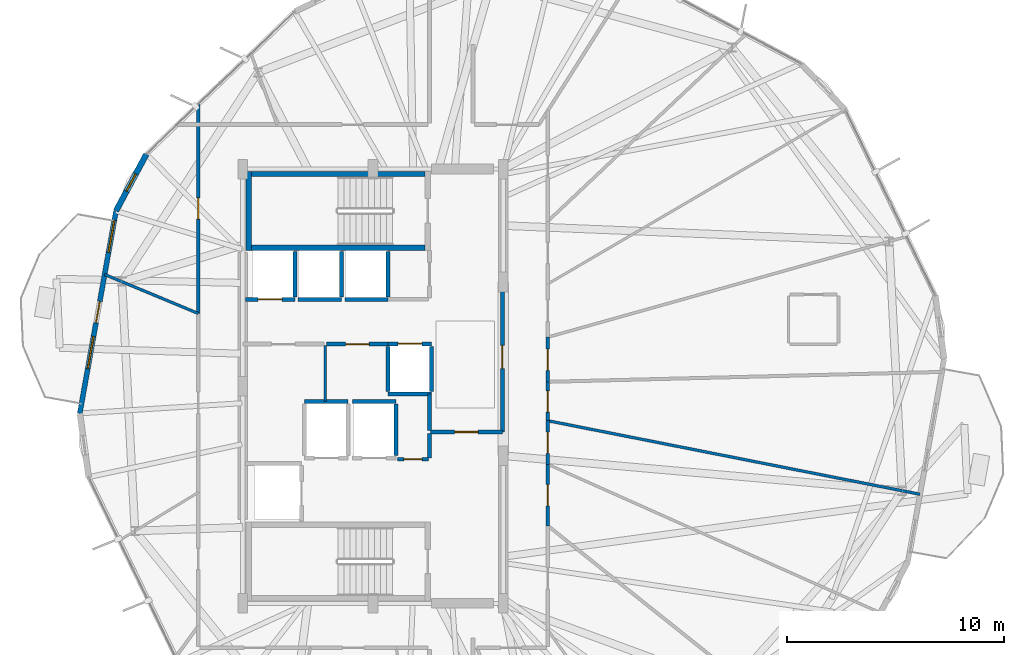
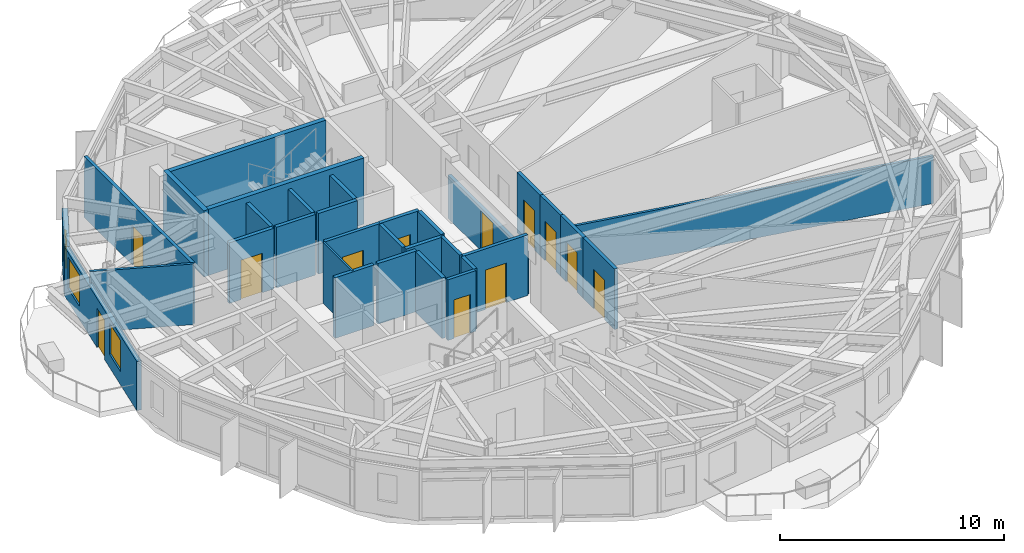
# One storey, part 21 of 26: 32 walls, 12 doors, 3 windows, 15 openings.
"""IFC4 building model written with IfcOpenShell, lengths in metres."""

from ifc_helpers import new_model, si_unit, direction, frame, frame_2d, origin, place, context, subcontext, project, spatial, rectangle, extrude, material, layer, layer_set, type_object, element, fill, save


model = new_model("IFC4")

# Units and contexts
model_context = context("Model", 3, precision=1e-05, world=origin(), true_north=direction((0.0, 1.0)))
body_context = subcontext(model_context, "Body", "Model", "MODEL_VIEW")
ifc_project = project(units=[si_unit("LENGTHUNIT", "METRE"), si_unit("AREAUNIT", "SQUARE_METRE"), si_unit("VOLUMEUNIT", "CUBIC_METRE"), si_unit("PLANEANGLEUNIT", "RADIAN"), si_unit("MASSUNIT", "GRAM", prefix="KILO")], contexts=[model_context])

# Site, building, storey
site_placement = place(None, origin())
site = spatial("IfcSite", under=ifc_project, at=site_placement, CompositionType="ELEMENT")
building_placement = place(site_placement, origin())
building = spatial("IfcBuilding", under=site, at=building_placement, Name="Soratama Intermodal Tower", CompositionType="ELEMENT")
storey_placement = place(building_placement, frame((0.0, 0.0, 194.199951171875)))
storey = spatial("IfcBuildingStorey", under=building, at=storey_placement, Name="L48", CompositionType="ELEMENT", Elevation=194.199951171875)

# Wall, openings, door, windows
ifc_material_1 = material(Name="Concrete f'c 42 MPa", Category="concrete")
ifc_layer_1 = layer(ifc_material_1, 0.22998046875)
ifc_layer_set_1 = layer_set([ifc_layer_1], Name="Concrete f'c 42 MPa")
wall_type_1 = type_object("IfcWallType", Name="EW-BAL-230", PredefinedType="SOLIDWALL", material=ifc_layer_set_1)
wall_1_placement = place(storey_placement, frame((26.76171875, 33.072509765625, 0.0), z_axis=(0.0, 0.0, 1.0), x_axis=(-0.176062749049, -0.984378945527, 0.0)))
wall_1 = element("IfcWall", 1, at=wall_1_placement, inside=storey, type_object=wall_type_1, Name="L48 Terrace Wall F04", PredefinedType="SOLIDWALL", context=body_context, shape_type="SweptSolid", body=[
    extrude(rectangle(XDim=9.470947265625, YDim=0.22998046875, at=frame_2d((4.7353515625, 0.0))), origin(), (0.0, 0.0, 1.0), 2.678955078125),
])
opening_1_placement = place(wall_1_placement, frame((4.235595703125, 0.0, 0.0)))
opening_1 = element("IfcOpeningElement", 2, at=opening_1_placement, cuts=wall_1, Name="Opening ED-2", PredefinedType="OPENING", context=body_context, shape_type="SweptSolid", body=[
    extrude(rectangle(XDim=1.0, YDim=2.14990234375, at=frame_2d((0.5, 1.074951171875))), frame((0.0, 0.125, 0.0), z_axis=(0.0, -1.0, 0.0), x_axis=(1.0, 0.0, 0.0)), (0.0, 0.0, 1.0), 0.25),
])
opening_2_placement = place(wall_1_placement, frame((0.43994140625, 0.0, 0.719970703125)))
opening_2 = element("IfcOpeningElement", 3, at=opening_2_placement, cuts=wall_1, Name="Opening WN-1", PredefinedType="OPENING", context=body_context, shape_type="SweptSolid", body=[
    extrude(rectangle(XDim=1.5, YDim=1.699951171875, at=frame_2d((0.75, 0.85009765625))), frame((0.0, 0.125, 0.0), z_axis=(0.0, -1.0, 0.0), x_axis=(1.0, 0.0, 0.0)), (0.0, 0.0, 1.0), 0.25),
])
opening_3_placement = place(wall_1_placement, frame((5.87548828125, 0.0, 0.719970703125)))
opening_3 = element("IfcOpeningElement", 4, at=opening_3_placement, cuts=wall_1, Name="Opening WN-1", PredefinedType="OPENING", context=body_context, shape_type="SweptSolid", body=[
    extrude(rectangle(XDim=1.5, YDim=1.699951171875, at=frame_2d((0.75, 0.85009765625))), frame((0.0, 0.125, 0.0), z_axis=(0.0, -1.0, 0.0), x_axis=(1.0, 0.0, 0.0)), (0.0, 0.0, 1.0), 0.25),
])
ifc_material_2 = material(Name="Double-glazed aluminium door", Category="aluminium")
door_type_1 = type_object("IfcDoorType", Name="DR-BAL-1000", OperationType="NOTDEFINED", PredefinedType="DOOR", material=ifc_material_2)
door_1_placement = place(opening_1_placement, origin())
door_1 = element("IfcDoor", 5, at=door_1_placement, inside=storey, type_object=door_type_1, Name="L48 Balcony Door F04", OperationType="SINGLE_SWING_RIGHT", OverallHeight=2.14990234375, OverallWidth=1.0, PredefinedType="DOOR", context=body_context, shape_type="SweptSolid", body=[
    extrude(rectangle(XDim=1.0, YDim=2.14990234375, at=frame_2d((0.5, 1.074951171875))), frame((0.0, 0.02490234375, 0.0), z_axis=(0.0, -1.0, 0.0), x_axis=(1.0, 0.0, 0.0)), (0.0, 0.0, 1.0), 0.050048828125),
])
fill(opening_1, door_1)
ifc_material_3 = material(Name="Double-glazed aluminium window", Category="aluminium")
window_type_1 = type_object("IfcWindowType", Name="WN-FAC-1500", PartitioningType="SINGLE_PANEL", PredefinedType="WINDOW", material=ifc_material_3)
window_1_placement = place(opening_2_placement, origin())
window_1 = element("IfcWindow", 6, at=window_1_placement, inside=storey, type_object=window_type_1, Name="L48 Window A F04", OverallHeight=1.699951171875, OverallWidth=1.5, PartitioningType="SINGLE_PANEL", PredefinedType="WINDOW", context=body_context, shape_type="SweptSolid", body=[
    extrude(rectangle(XDim=1.5, YDim=1.699951171875, at=frame_2d((0.75, 0.85009765625))), frame((0.0, 0.030029296875, 0.0), z_axis=(0.0, -1.0, 0.0), x_axis=(1.0, 0.0, 0.0)), (0.0, 0.0, 1.0), 0.06005859375),
])
fill(opening_2, window_1)
window_2_placement = place(opening_3_placement, origin())
window_2 = element("IfcWindow", 7, at=window_2_placement, inside=storey, type_object=window_type_1, Name="L48 Window B F04", OverallHeight=1.699951171875, OverallWidth=1.5, PartitioningType="SINGLE_PANEL", PredefinedType="WINDOW", context=body_context, shape_type="SweptSolid", body=[
    extrude(rectangle(XDim=1.5, YDim=1.699951171875, at=frame_2d((0.75, 0.85009765625))), frame((0.0, 0.030029296875, 0.0), z_axis=(0.0, -1.0, 0.0), x_axis=(1.0, 0.0, 0.0)), (0.0, 0.0, 1.0), 0.06005859375),
])
fill(opening_3, window_2)

# Wall, opening, window
ifc_material_4 = material(Name="Concrete f'c 42 MPa", Category="concrete")
ifc_layer_2 = layer(ifc_material_4, 0.27001953125)
ifc_layer_set_2 = layer_set([ifc_layer_2], Name="Concrete f'c 42 MPa")
wall_type_2 = type_object("IfcWallType", Name="EW-CRN-270", PredefinedType="SOLIDWALL", material=ifc_layer_set_2)
wall_2_placement = place(storey_placement, frame((28.160888671875, 35.6884765625, 0.0), z_axis=(0.0, 0.0, 1.0), x_axis=(-0.471634393059, -0.88179419327, 0.0)))
wall_2 = element("IfcWall", 8, at=wall_2_placement, inside=storey, type_object=wall_type_2, Name="L48 Corner Closure Wall 03", PredefinedType="SOLIDWALL", context=body_context, shape_type="SweptSolid", body=[
    extrude(rectangle(XDim=2.966552734375, YDim=0.27001953125, at=frame_2d((1.4833984375, 0.0))), origin(), (0.0, 0.0, 1.0), 2.678955078125),
])
opening_4_placement = place(wall_2_placement, frame((1.033203125, 0.0, 0.75)))
opening_4 = element("IfcOpeningElement", 9, at=opening_4_placement, cuts=wall_2, Name="Opening WN-6", PredefinedType="OPENING", context=body_context, shape_type="SweptSolid", body=[
    extrude(rectangle(XDim=0.89990234375, YDim=1.5, at=frame_2d((0.449951171875, 0.75))), frame((0.0, 0.14501953125, 0.0), z_axis=(0.0, -1.0, 0.0), x_axis=(1.0, 0.0, 0.0)), (0.0, 0.0, 1.0), 0.2900390625),
])
ifc_material_5 = material(Name="Double-glazed aluminium window", Category="aluminium")
window_type_2 = type_object("IfcWindowType", Name="WN-FAC-900", PartitioningType="SINGLE_PANEL", PredefinedType="WINDOW", material=ifc_material_5)
window_3_placement = place(opening_4_placement, origin())
window_3 = element("IfcWindow", 10, at=window_3_placement, inside=storey, type_object=window_type_2, Name="L48 Corner Window 03", OverallHeight=1.5, OverallWidth=0.89990234375, PartitioningType="SINGLE_PANEL", PredefinedType="WINDOW", context=body_context, shape_type="SweptSolid", body=[
    extrude(rectangle(XDim=0.89990234375, YDim=1.5, at=frame_2d((0.449951171875, 0.75))), frame((0.0, 0.030029296875, 0.0), z_axis=(0.0, -1.0, 0.0), x_axis=(1.0, 0.0, 0.0)), (0.0, 0.0, 1.0), 0.06005859375),
])
fill(opening_4, window_3)

# Wall, opening, door
ifc_material_6 = material(Name="Fire-rated gypsum stud partition", Category="concrete")
ifc_layer_3 = layer(ifc_material_6, 0.169921875)
ifc_layer_set_3 = layer_set([ifc_layer_3], Name="Fire-rated gypsum stud partition")
wall_type_3 = type_object("IfcWallType", Name="IW-PART-R170", PredefinedType="PARTITIONING", material=ifc_layer_set_3)
wall_3_placement = place(storey_placement, frame((30.550048828125, 28.35107421875, 0.0), z_axis=(0.0, 0.0, 1.0), x_axis=(0.0, 1.0, 0.0)))
wall_3 = element("IfcWall", 11, at=wall_3_placement, inside=storey, type_object=wall_type_3, Name="L48 Partition W-L48-TP008", PredefinedType="PARTITIONING", context=body_context, shape_type="SweptSolid", body=[
    extrude(rectangle(XDim=9.6328125, YDim=0.169921875, at=frame_2d((4.81640625, 0.0))), origin(), (0.0, 0.0, 1.0), 3.300048828125),
])
opening_5_placement = place(wall_3_placement, frame((4.342041015625, 0.0, 0.0)))
opening_5 = element("IfcOpeningElement", 12, at=opening_5_placement, cuts=wall_3, Name="Opening ID-5", PredefinedType="OPENING", context=body_context, shape_type="SweptSolid", body=[
    extrude(rectangle(XDim=0.97998046875, YDim=2.14990234375, at=frame_2d((0.489990234375, 1.074951171875))), frame((0.0, 0.094970703125, 0.0), z_axis=(0.0, -1.0, 0.0), x_axis=(1.0, 0.0, 0.0)), (0.0, 0.0, 1.0), 0.18994140625),
])
ifc_material_7 = material(Name="Solid hardwood acoustic door", Category="wood")
door_type_2 = type_object("IfcDoorType", Name="DR-OFF-980", OperationType="NOTDEFINED", PredefinedType="DOOR", material=ifc_material_7)
door_2_placement = place(opening_5_placement, origin())
door_2 = element("IfcDoor", 13, at=door_2_placement, inside=storey, type_object=door_type_2, Name="L48 Door D-L48-TP001", OperationType="SINGLE_SWING_RIGHT", OverallHeight=2.14990234375, OverallWidth=0.97998046875, PredefinedType="DOOR", context=body_context, shape_type="SweptSolid", body=[
    extrude(rectangle(XDim=0.97998046875, YDim=2.14990234375, at=frame_2d((0.489990234375, 1.074951171875))), frame((0.0, 0.02490234375, 0.0), z_axis=(0.0, -1.0, 0.0), x_axis=(1.0, 0.0, 0.0)), (0.0, 0.0, 1.0), 0.050048828125),
])
fill(opening_5, door_2)

wall_4_placement = place(storey_placement, frame((44.56005859375, 29.800048828125, 0.0), z_axis=(0.0, 0.0, 1.0), x_axis=(0.0, -1.0, 0.0)))
wall_4 = element("IfcWall", 14, at=wall_4_placement, inside=storey, type_object=wall_type_3, Name="L48 Partition W-L48-TP017", PredefinedType="PARTITIONING", context=body_context, shape_type="SweptSolid", body=[
    extrude(rectangle(XDim=6.91015625, YDim=0.169921875, at=frame_2d((3.455078125, 0.0))), origin(), (0.0, 0.0, 1.0), 2.340087890625),
])
opening_6_placement = place(wall_4_placement, frame((2.9150390625, 0.0, 0.0)))
opening_6 = element("IfcOpeningElement", 15, at=opening_6_placement, cuts=wall_4, Name="Opening ID-1", PredefinedType="OPENING", context=body_context, shape_type="SweptSolid", body=[
    extrude(rectangle(XDim=1.080078125, YDim=2.14990234375, at=frame_2d((0.5400390625, 1.074951171875))), frame((0.0, 0.094970703125, 0.0), z_axis=(0.0, -1.0, 0.0), x_axis=(1.0, 0.0, 0.0)), (0.0, 0.0, 1.0), 0.18994140625),
])
ifc_material_8 = material(Name="Solid hardwood acoustic door", Category="wood")
door_type_3 = type_object("IfcDoorType", Name="DR-LOB-FD60", OperationType="NOTDEFINED", PredefinedType="DOOR", material=ifc_material_8)
door_3_placement = place(opening_6_placement, origin())
door_3 = element("IfcDoor", 16, at=door_3_placement, inside=storey, type_object=door_type_3, Name="L48 Door D-L48-TP005", OperationType="SINGLE_SWING_RIGHT", OverallHeight=2.14990234375, OverallWidth=1.080078125, PredefinedType="DOOR", context=body_context, shape_type="SweptSolid", body=[
    extrude(rectangle(XDim=1.080078125, YDim=2.14990234375, at=frame_2d((0.5400390625, 1.074951171875))), frame((0.0, 0.02490234375, 0.0), z_axis=(0.0, -1.0, 0.0), x_axis=(1.0, 0.0, 0.0)), (0.0, 0.0, 1.0), 0.050048828125),
])
fill(opening_6, door_3)

wall_5_placement = place(storey_placement, frame((41.239990234375, 22.889892578125, 0.0), z_axis=(0.0, 0.0, 1.0), x_axis=(1.0, 0.0, 0.0)))
wall_5 = element("IfcWall", 17, at=wall_5_placement, inside=storey, type_object=wall_type_3, Name="L48 Partition W-L48-TP029", PredefinedType="PARTITIONING", context=body_context, shape_type="SweptSolid", body=[
    extrude(rectangle(XDim=3.320068359375, YDim=0.169921875, at=frame_2d((1.66015625, 0.0))), origin(), (0.0, 0.0, 1.0), 3.300048828125),
])
opening_7_placement = place(wall_5_placement, frame((1.1201171875, 0.0, 0.0)))
opening_7 = element("IfcOpeningElement", 18, at=opening_7_placement, cuts=wall_5, Name="Opening ID-0", PredefinedType="OPENING", context=body_context, shape_type="SweptSolid", body=[
    extrude(rectangle(XDim=1.080078125, YDim=2.14990234375, at=frame_2d((0.5400390625, 1.074951171875))), frame((0.0, 0.094970703125, 0.0), z_axis=(0.0, -1.0, 0.0), x_axis=(1.0, 0.0, 0.0)), (0.0, 0.0, 1.0), 0.18994140625),
])
ifc_material_9 = material(Name="Solid hardwood acoustic door", Category="wood")
door_type_4 = type_object("IfcDoorType", Name="DR-LOB-FD90", OperationType="NOTDEFINED", PredefinedType="DOOR", material=ifc_material_9)
door_4_placement = place(opening_7_placement, origin())
door_4 = element("IfcDoor", 19, at=door_4_placement, inside=storey, type_object=door_type_4, Name="L48 Door D-L48-TP012", OperationType="SINGLE_SWING_LEFT", OverallHeight=2.14990234375, OverallWidth=1.080078125, PredefinedType="DOOR", context=body_context, shape_type="SweptSolid", body=[
    extrude(rectangle(XDim=1.080078125, YDim=2.14990234375, at=frame_2d((0.5400390625, 1.074951171875))), frame((0.0, 0.02490234375, 0.0), z_axis=(0.0, -1.0, 0.0), x_axis=(1.0, 0.0, 0.0)), (0.0, 0.0, 1.0), 0.050048828125),
])
fill(opening_7, door_4)

wall_6_placement = place(storey_placement, frame((39.300048828125, 26.93994140625, 0.0), z_axis=(0.0, 0.0, 1.0), x_axis=(-1.0, 0.0, 0.0)))
wall_6 = element("IfcWall", 20, at=wall_6_placement, inside=storey, type_object=wall_type_3, Name="L48 Partition W-L48-TP033", PredefinedType="PARTITIONING", context=body_context, shape_type="SweptSolid", body=[
    extrude(rectangle(XDim=2.840087890625, YDim=0.169921875, at=frame_2d((1.419921875, 0.0))), origin(), (0.0, 0.0, 1.0), 3.300048828125),
])
opening_8_placement = place(wall_6_placement, frame((0.8798828125, 0.0, 0.0)))
opening_8 = element("IfcOpeningElement", 21, at=opening_8_placement, cuts=wall_6, Name="Opening ID-1", PredefinedType="OPENING", context=body_context, shape_type="SweptSolid", body=[
    extrude(rectangle(XDim=1.080078125, YDim=2.14990234375, at=frame_2d((0.5400390625, 1.074951171875))), frame((0.0, 0.094970703125, 0.0), z_axis=(0.0, -1.0, 0.0), x_axis=(1.0, 0.0, 0.0)), (0.0, 0.0, 1.0), 0.18994140625),
])
door_5_placement = place(opening_8_placement, origin())
door_5 = element("IfcDoor", 22, at=door_5_placement, inside=storey, type_object=door_type_3, Name="L48 Door D-L48-TP016", OperationType="SINGLE_SWING_LEFT", OverallHeight=2.14990234375, OverallWidth=1.080078125, PredefinedType="DOOR", context=body_context, shape_type="SweptSolid", body=[
    extrude(rectangle(XDim=1.080078125, YDim=2.14990234375, at=frame_2d((0.5400390625, 1.074951171875))), frame((0.0, 0.02490234375, 0.0), z_axis=(0.0, -1.0, 0.0), x_axis=(1.0, 0.0, 0.0)), (0.0, 0.0, 1.0), 0.050048828125),
])
fill(opening_8, door_5)

wall_7_placement = place(storey_placement, frame((46.64990234375, 21.405029296875, 0.0), z_axis=(0.0, 0.0, 1.0), x_axis=(0.0, -1.0, 0.0)))
wall_7 = element("IfcWall", 23, at=wall_7_placement, inside=storey, type_object=wall_type_3, Name="L48 Partition W-L48-TP034", PredefinedType="PARTITIONING", context=body_context, shape_type="SweptSolid", body=[
    extrude(rectangle(XDim=2.83203125, YDim=0.169921875, at=frame_2d((1.416015625, 0.0))), origin(), (0.0, 0.0, 1.0), 3.300048828125),
])
opening_9_placement = place(wall_7_placement, frame((0.94091796875, 0.0, 0.0)))
opening_9 = element("IfcOpeningElement", 24, at=opening_9_placement, cuts=wall_7, Name="Opening ID-5", PredefinedType="OPENING", context=body_context, shape_type="SweptSolid", body=[
    extrude(rectangle(XDim=0.97998046875, YDim=2.14990234375, at=frame_2d((0.489990234375, 1.074951171875))), frame((0.0, 0.094970703125, 0.0), z_axis=(0.0, -1.0, 0.0), x_axis=(1.0, 0.0, 0.0)), (0.0, 0.0, 1.0), 0.18994140625),
])
door_6_placement = place(opening_9_placement, origin())
door_6 = element("IfcDoor", 25, at=door_6_placement, inside=storey, type_object=door_type_2, Name="L48 Door D-L48-TP017", OperationType="SINGLE_SWING_RIGHT", OverallHeight=2.14990234375, OverallWidth=0.97998046875, PredefinedType="DOOR", context=body_context, shape_type="SweptSolid", body=[
    extrude(rectangle(XDim=0.97998046875, YDim=2.14990234375, at=frame_2d((0.489990234375, 1.074951171875))), frame((0.0, 0.02490234375, 0.0), z_axis=(0.0, -1.0, 0.0), x_axis=(1.0, 0.0, 0.0)), (0.0, 0.0, 1.0), 0.050048828125),
])
fill(opening_9, door_6)

wall_8_placement = place(storey_placement, frame((46.64990234375, 27.258056640625, 0.0), z_axis=(0.0, 0.0, 1.0), x_axis=(0.0, -1.0, 0.0)))
wall_8 = element("IfcWall", 26, at=wall_8_placement, inside=storey, type_object=wall_type_3, Name="L48 Partition W-L48-TP042", PredefinedType="PARTITIONING", context=body_context, shape_type="SweptSolid", body=[
    extrude(rectangle(XDim=2.05615234375, YDim=0.169921875, at=frame_2d((1.028076171875, 0.0))), origin(), (0.0, 0.0, 1.0), 3.300048828125),
])
opening_10_placement = place(wall_8_placement, frame((0.552978515625, 0.0, 0.0)))
opening_10 = element("IfcOpeningElement", 27, at=opening_10_placement, cuts=wall_8, Name="Opening ID-5", PredefinedType="OPENING", context=body_context, shape_type="SweptSolid", body=[
    extrude(rectangle(XDim=0.97998046875, YDim=2.14990234375, at=frame_2d((0.489990234375, 1.074951171875))), frame((0.0, 0.094970703125, 0.0), z_axis=(0.0, -1.0, 0.0), x_axis=(1.0, 0.0, 0.0)), (0.0, 0.0, 1.0), 0.18994140625),
])
door_7_placement = place(opening_10_placement, origin())
door_7 = element("IfcDoor", 28, at=door_7_placement, inside=storey, type_object=door_type_2, Name="L48 Door D-L48-TP021", OperationType="SINGLE_SWING_RIGHT", OverallHeight=2.14990234375, OverallWidth=0.97998046875, PredefinedType="DOOR", context=body_context, shape_type="SweptSolid", body=[
    extrude(rectangle(XDim=0.97998046875, YDim=2.14990234375, at=frame_2d((0.489990234375, 1.074951171875))), frame((0.0, 0.02490234375, 0.0), z_axis=(0.0, -1.0, 0.0), x_axis=(1.0, 0.0, 0.0)), (0.0, 0.0, 1.0), 0.050048828125),
])
fill(opening_10, door_7)

wall_9_placement = place(storey_placement, frame((46.64990234375, 23.409912109375, 0.0), z_axis=(0.0, 0.0, 1.0), x_axis=(0.0, -1.0, 0.0)))
wall_9 = element("IfcWall", 29, at=wall_9_placement, inside=storey, type_object=wall_type_3, Name="L48 Partition W-L48-TP043", PredefinedType="PARTITIONING", context=body_context, shape_type="SweptSolid", body=[
    extrude(rectangle(XDim=2.0048828125, YDim=0.169921875, at=frame_2d((1.00244140625, 0.0))), origin(), (0.0, 0.0, 1.0), 3.300048828125),
])
opening_11_placement = place(wall_9_placement, frame((0.527099609375, 0.0, 0.0)))
opening_11 = element("IfcOpeningElement", 30, at=opening_11_placement, cuts=wall_9, Name="Opening ID-5", PredefinedType="OPENING", context=body_context, shape_type="SweptSolid", body=[
    extrude(rectangle(XDim=0.97998046875, YDim=2.14990234375, at=frame_2d((0.489990234375, 1.074951171875))), frame((0.0, 0.094970703125, 0.0), z_axis=(0.0, -1.0, 0.0), x_axis=(1.0, 0.0, 0.0)), (0.0, 0.0, 1.0), 0.18994140625),
])
door_8_placement = place(opening_11_placement, origin())
door_8 = element("IfcDoor", 31, at=door_8_placement, inside=storey, type_object=door_type_2, Name="L48 Door D-L48-TP022", OperationType="SINGLE_SWING_LEFT", OverallHeight=2.14990234375, OverallWidth=0.97998046875, PredefinedType="DOOR", context=body_context, shape_type="SweptSolid", body=[
    extrude(rectangle(XDim=0.97998046875, YDim=2.14990234375, at=frame_2d((0.489990234375, 1.074951171875))), frame((0.0, 0.02490234375, 0.0), z_axis=(0.0, -1.0, 0.0), x_axis=(1.0, 0.0, 0.0)), (0.0, 0.0, 1.0), 0.050048828125),
])
fill(opening_11, door_8)

wall_10_placement = place(storey_placement, frame((46.64990234375, 25.201904296875, 0.0), z_axis=(0.0, 0.0, 1.0), x_axis=(0.0, -1.0, 0.0)))
wall_10 = element("IfcWall", 32, at=wall_10_placement, inside=storey, type_object=wall_type_3, Name="L48 Partition W-L48-TP045", PredefinedType="PARTITIONING", context=body_context, shape_type="SweptSolid", body=[
    extrude(rectangle(XDim=1.7919921875, YDim=0.169921875, at=frame_2d((0.89599609375, 0.0))), origin(), (0.0, 0.0, 1.0), 3.300048828125),
])
opening_12_placement = place(wall_10_placement, frame((0.4208984375, 0.0, 0.0)))
opening_12 = element("IfcOpeningElement", 33, at=opening_12_placement, cuts=wall_10, Name="Opening ID-5", PredefinedType="OPENING", context=body_context, shape_type="SweptSolid", body=[
    extrude(rectangle(XDim=0.97998046875, YDim=2.14990234375, at=frame_2d((0.489990234375, 1.074951171875))), frame((0.0, 0.094970703125, 0.0), z_axis=(0.0, -1.0, 0.0), x_axis=(1.0, 0.0, 0.0)), (0.0, 0.0, 1.0), 0.18994140625),
])
door_9_placement = place(opening_12_placement, origin())
door_9 = element("IfcDoor", 34, at=door_9_placement, inside=storey, type_object=door_type_2, Name="L48 Door D-L48-TP023", OperationType="SINGLE_SWING_RIGHT", OverallHeight=2.14990234375, OverallWidth=0.97998046875, PredefinedType="DOOR", context=body_context, shape_type="SweptSolid", body=[
    extrude(rectangle(XDim=0.97998046875, YDim=2.14990234375, at=frame_2d((0.489990234375, 1.074951171875))), frame((0.0, 0.02490234375, 0.0), z_axis=(0.0, -1.0, 0.0), x_axis=(1.0, 0.0, 0.0)), (0.0, 0.0, 1.0), 0.050048828125),
])
fill(opening_12, door_9)

# Wall
wall_11_placement = place(storey_placement, frame((41.199951171875, 22.9599609375, 0.0), z_axis=(0.0, 0.0, 1.0), x_axis=(0.0, 1.0, 0.0)))
element("IfcWall", 35, at=wall_11_placement, inside=storey, type_object=wall_type_3, Name="L48 Partition W-L48-TP047", PredefinedType="PARTITIONING", context=body_context, shape_type="SweptSolid", body=[
    extrude(rectangle(XDim=1.68994140625, YDim=0.169921875, at=frame_2d((0.844970703125, 0.0))), origin(), (0.0, 0.0, 1.0), 3.300048828125),
])

# Wall, opening, door
wall_12_placement = place(storey_placement, frame((39.719970703125, 21.639892578125, 0.0), z_axis=(0.0, 0.0, 1.0), x_axis=(1.0, 0.0, 0.0)))
wall_12 = element("IfcWall", 36, at=wall_12_placement, inside=storey, type_object=wall_type_3, Name="L48 Partition W-L48-TP049", PredefinedType="PARTITIONING", context=body_context, shape_type="SweptSolid", body=[
    extrude(rectangle(XDim=1.43994140625, YDim=0.169921875, at=frame_2d((0.719970703125, 0.0))), origin(), (0.0, 0.0, 1.0), 3.300048828125),
])
opening_13_placement = place(wall_12_placement, frame((0.294921875, 0.0, 0.0)))
opening_13 = element("IfcOpeningElement", 37, at=opening_13_placement, cuts=wall_12, Name="Opening ID-4", PredefinedType="OPENING", context=body_context, shape_type="SweptSolid", body=[
    extrude(rectangle(XDim=0.85009765625, YDim=2.10009765625, at=frame_2d((0.425048828125, 1.050048828125))), frame((0.0, 0.094970703125, 0.0), z_axis=(0.0, -1.0, 0.0), x_axis=(1.0, 0.0, 0.0)), (0.0, 0.0, 1.0), 0.18994140625),
])
ifc_material_10 = material(Name="Solid hardwood acoustic door", Category="wood")
door_type_5 = type_object("IfcDoorType", Name="DR-BATH-850", OperationType="NOTDEFINED", PredefinedType="DOOR", material=ifc_material_10)
door_10_placement = place(opening_13_placement, origin())
door_10 = element("IfcDoor", 38, at=door_10_placement, inside=storey, type_object=door_type_5, Name="L48 Door D-L48-TP024", OperationType="SINGLE_SWING_LEFT", OverallHeight=2.10009765625, OverallWidth=0.85009765625, PredefinedType="DOOR", context=body_context, shape_type="SweptSolid", body=[
    extrude(rectangle(XDim=0.85009765625, YDim=2.10009765625, at=frame_2d((0.425048828125, 1.050048828125))), frame((0.0, 0.02490234375, 0.0), z_axis=(0.0, -1.0, 0.0), x_axis=(1.0, 0.0, 0.0)), (0.0, 0.0, 1.0), 0.050048828125),
])
fill(opening_13, door_10)

# Walls
wall_13_placement = place(storey_placement, frame((41.199951171875, 21.699951171875, 0.0), z_axis=(0.0, 0.0, 1.0), x_axis=(0.0, 1.0, 0.0)))
element("IfcWall", 39, at=wall_13_placement, inside=storey, type_object=wall_type_3, Name="L48 Partition W-L48-TP050", PredefinedType="PARTITIONING", context=body_context, shape_type="SweptSolid", body=[
    extrude(rectangle(XDim=1.1201171875, YDim=0.169921875, at=frame_2d((0.56005859375, 0.0))), origin(), (0.0, 0.0, 1.0), 3.300048828125),
])
ifc_material_11 = material(Name="Fire-rated gypsum stud partition", Category="concrete")
ifc_layer_4 = layer(ifc_material_11, 0.10009765625)
ifc_layer_set_4 = layer_set([ifc_layer_4], Name="Fire-rated gypsum stud partition")
wall_type_4 = type_object("IfcWallType", Name="IW-PART-S100", PredefinedType="PARTITIONING", material=ifc_layer_set_4)
wall_14_placement = place(storey_placement, frame((36.39990234375, 26.8798828125, 0.0), z_axis=(0.0, 0.0, 1.0), x_axis=(0.0, -1.0, 0.0)))
element("IfcWall", 40, at=wall_14_placement, inside=storey, type_object=wall_type_4, Name="L48 Partition W-L48-TP035", PredefinedType="PARTITIONING", context=body_context, shape_type="SweptSolid", body=[
    extrude(rectangle(XDim=2.579833984375, YDim=0.10009765625, at=frame_2d((1.2900390625, 0.0))), origin(), (0.0, 0.0, 1.0), 3.300048828125),
])
ifc_material_12 = material(Name="Fire-rated gypsum stud partition", Category="concrete")
ifc_layer_5 = layer(ifc_material_12, 0.1298828125)
ifc_layer_set_5 = layer_set([ifc_layer_5], Name="Fire-rated gypsum stud partition")
wall_type_5 = type_object("IfcWallType", Name="IW-PART-S130", PredefinedType="PARTITIONING", material=ifc_layer_set_5)
wall_15_placement = place(storey_placement, frame((46.64990234375, 23.409912109375, 0.0), z_axis=(0.0, 0.0, 1.0), x_axis=(0.981034263722, -0.193834396853, 0.0)))
element("IfcWall", 41, at=wall_15_placement, inside=storey, type_object=wall_type_5, Name="L48 Partition W-L48-TP002", PredefinedType="PARTITIONING", context=body_context, shape_type="SweptSolid", body=[
    extrude(rectangle(XDim=17.473388671875, YDim=0.1298828125, at=frame_2d((8.73681640625, 0.0))), origin(), (0.0, 0.0, 1.0), 2.594970703125),
])
wall_16_placement = place(storey_placement, frame((30.550048828125, 28.35107421875, 0.0), z_axis=(0.0, 0.0, 1.0), x_axis=(-0.923284033824, 0.384117941374, 0.0)))
element("IfcWall", 42, at=wall_16_placement, inside=storey, type_object=wall_type_5, Name="L48 Partition W-L48-TP022", PredefinedType="PARTITIONING", context=body_context, shape_type="SweptSolid", body=[
    extrude(rectangle(XDim=4.67041015625, YDim=0.1298828125, at=frame_2d((2.335205078125, 0.0))), origin(), (0.0, 0.0, 1.0), 3.300048828125),
])
ifc_material_13 = material(Name="Concrete f'c 42 MPa", Category="concrete")
ifc_layer_6 = layer(ifc_material_13, 0.18505859375)
ifc_layer_set_6 = layer_set([ifc_layer_6], Name="Concrete f'c 42 MPa")
wall_type_6 = type_object("IfcWallType", Name="IW-SHAFT-185", PredefinedType="SOLIDWALL", material=ifc_layer_set_6)
for number, where, z_axis, x_axis, name in (
    (43, (35.449951171875, 24.300048828125, 0.0), (0.0, 0.0, 1.0), (1.0, 0.0, 0.0), "L48 FFL-1 Hoistway Wall N"),
    (44, (37.64990234375, 24.300048828125, 0.0), (0.0, 0.0, 1.0), (1.0, 0.0, 0.0), "L48 FFL-2 Hoistway Wall N"),
):
    element("IfcWall", number, at=place(storey_placement, frame(where, z_axis=z_axis, x_axis=x_axis)), inside=storey, type_object=wall_type_6, Name=name, PredefinedType="SOLIDWALL", context=body_context, shape_type="SweptSolid", body=[
        extrude(rectangle(XDim=2.0, YDim=0.18505859375, at=frame_2d((1.0, 0.0))), origin(), (0.0, 0.0, 1.0), 3.300048828125),
    ])
wall_17_placement = place(storey_placement, frame((39.64990234375, 21.81005859375, 0.0), z_axis=(0.0, 0.0, 1.0), x_axis=(0.0, 1.0, 0.0)))
element("IfcWall", 45, at=wall_17_placement, inside=storey, type_object=wall_type_6, Name="L48 FFL-2 Hoistway Wall E", PredefinedType="SOLIDWALL", context=body_context, shape_type="SweptSolid", body=[
    extrude(rectangle(XDim=2.3798828125, YDim=0.18505859375, at=frame_2d((1.18994140625, 0.0))), origin(), (0.0, 0.0, 1.0), 3.300048828125),
])
wall_18_placement = place(storey_placement, frame((39.300048828125, 24.64990234375, 0.0), z_axis=(0.0, 0.0, 1.0), x_axis=(1.0, 0.0, 0.0)))
element("IfcWall", 46, at=wall_18_placement, inside=storey, type_object=wall_type_6, Name="L48 PL-M1 Hoistway Wall S", PredefinedType="SOLIDWALL", context=body_context, shape_type="SweptSolid", body=[
    extrude(rectangle(XDim=2.0, YDim=0.18505859375, at=frame_2d((1.0, 0.0))), origin(), (0.0, 0.0, 1.0), 3.300048828125),
])

# Wall, opening, door
wall_19_placement = place(storey_placement, frame((39.300048828125, 26.949951171875, 0.0), z_axis=(0.0, 0.0, 1.0), x_axis=(1.0, 0.0, 0.0)))
wall_19 = element("IfcWall", 47, at=wall_19_placement, inside=storey, type_object=wall_type_6, Name="L48 PL-M1 Hoistway Wall N", PredefinedType="SOLIDWALL", context=body_context, shape_type="SweptSolid", body=[
    extrude(rectangle(XDim=2.0, YDim=0.18505859375, at=frame_2d((1.0, 0.0))), origin(), (0.0, 0.0, 1.0), 3.300048828125),
])
opening_14_placement = place(wall_19_placement, frame((0.449951171875, 0.0, 0.0)))
opening_14 = element("IfcOpeningElement", 48, at=opening_14_placement, cuts=wall_19, Name="Opening LD-1", PredefinedType="OPENING", context=body_context, shape_type="SweptSolid", body=[
    extrude(rectangle(XDim=1.10009765625, YDim=2.14990234375, at=frame_2d((0.550048828125, 1.074951171875))), frame((0.0, 0.1025390625, 0.0), z_axis=(0.0, -1.0, 0.0), x_axis=(1.0, 0.0, 0.0)), (0.0, 0.0, 1.0), 0.205078125),
])
ifc_material_14 = material(Name="Steel fire door", Category="steel")
door_type_6 = type_object("IfcDoorType", Name="DR-LIFT-SLIDE", OperationType="NOTDEFINED", PredefinedType="DOOR", material=ifc_material_14)
door_11_placement = place(opening_14_placement, origin())
door_11 = element("IfcDoor", 49, at=door_11_placement, inside=storey, type_object=door_type_6, Name="L48 PL-M1 Sliding Landing Door", OperationType="SLIDING_TO_LEFT", OverallHeight=2.14990234375, OverallWidth=1.10009765625, PredefinedType="DOOR", context=body_context, shape_type="SweptSolid", body=[
    extrude(rectangle(XDim=1.10009765625, YDim=2.14990234375, at=frame_2d((0.550048828125, 1.074951171875))), frame((0.0, 0.02490234375, 0.0), z_axis=(0.0, -1.0, 0.0), x_axis=(1.0, 0.0, 0.0)), (0.0, 0.0, 1.0), 0.050048828125),
])
fill(opening_14, door_11)

# Walls
for number, where, z_axis, x_axis, name in (
    (50, (39.300048828125, 24.760009765625, 0.0), (0.0, 0.0, 1.0), (0.0, 1.0, 0.0), "L48 PL-M1 Hoistway Wall W"),
    (51, (41.300048828125, 24.760009765625, 0.0), (0.0, 0.0, 1.0), (0.0, 1.0, 0.0), "L48 PL-M1 Hoistway Wall E"),
):
    element("IfcWall", number, at=place(storey_placement, frame(where, z_axis=z_axis, x_axis=x_axis)), inside=storey, type_object=wall_type_6, Name=name, PredefinedType="SOLIDWALL", context=body_context, shape_type="SweptSolid", body=[
        extrude(rectangle(XDim=2.080078125, YDim=0.18505859375, at=frame_2d((1.0400390625, 0.0))), origin(), (0.0, 0.0, 1.0), 3.300048828125),
    ])

# Wall, opening, door
wall_20_placement = place(storey_placement, frame((32.719970703125, 29.0, 0.0), z_axis=(0.0, 0.0, 1.0), x_axis=(1.0, 0.0, 0.0)))
wall_20 = element("IfcWall", 52, at=wall_20_placement, inside=storey, type_object=wall_type_6, Name="L48 PL-M2 Hoistway Wall S", PredefinedType="SOLIDWALL", context=body_context, shape_type="SweptSolid", body=[
    extrude(rectangle(XDim=2.280029296875, YDim=0.18505859375, at=frame_2d((1.14013671875, 0.0))), origin(), (0.0, 0.0, 1.0), 3.300048828125),
])
opening_15_placement = place(wall_20_placement, frame((0.590087890625, 0.0, 0.0)))
opening_15 = element("IfcOpeningElement", 53, at=opening_15_placement, cuts=wall_20, Name="Opening LD-1", PredefinedType="OPENING", context=body_context, shape_type="SweptSolid", body=[
    extrude(rectangle(XDim=1.10009765625, YDim=2.14990234375, at=frame_2d((0.550048828125, 1.074951171875))), frame((0.0, 0.1025390625, 0.0), z_axis=(0.0, -1.0, 0.0), x_axis=(1.0, 0.0, 0.0)), (0.0, 0.0, 1.0), 0.205078125),
])
door_12_placement = place(opening_15_placement, origin())
door_12 = element("IfcDoor", 54, at=door_12_placement, inside=storey, type_object=door_type_6, Name="L48 PL-M2 Sliding Landing Door", OperationType="SLIDING_TO_LEFT", OverallHeight=2.14990234375, OverallWidth=1.10009765625, PredefinedType="DOOR", context=body_context, shape_type="SweptSolid", body=[
    extrude(rectangle(XDim=1.10009765625, YDim=2.14990234375, at=frame_2d((0.550048828125, 1.074951171875))), frame((0.0, 0.02490234375, 0.0), z_axis=(0.0, -1.0, 0.0), x_axis=(1.0, 0.0, 0.0)), (0.0, 0.0, 1.0), 0.050048828125),
])
fill(opening_15, door_12)

# Walls
wall_21_placement = place(storey_placement, frame((35.0, 29.110107421875, 0.0), z_axis=(0.0, 0.0, 1.0), x_axis=(0.0, 1.0, 0.0)))
element("IfcWall", 55, at=wall_21_placement, inside=storey, type_object=wall_type_6, Name="L48 PL-M2 Hoistway Wall E", PredefinedType="SOLIDWALL", context=body_context, shape_type="SweptSolid", body=[
    extrude(rectangle(XDim=2.099853515625, YDim=0.18505859375, at=frame_2d((1.0498046875, 0.0))), origin(), (0.0, 0.0, 1.0), 3.300048828125),
])
wall_22_placement = place(storey_placement, frame((35.14990234375, 29.0, 0.0), z_axis=(0.0, 0.0, 1.0), x_axis=(1.0, 0.0, 0.0)))
element("IfcWall", 56, at=wall_22_placement, inside=storey, type_object=wall_type_6, Name="L48 PL-H1 Hoistway Wall S", PredefinedType="SOLIDWALL", context=body_context, shape_type="SweptSolid", body=[
    extrude(rectangle(XDim=2.0, YDim=0.18505859375, at=frame_2d((1.0, 0.0))), origin(), (0.0, 0.0, 1.0), 3.300048828125),
])
wall_23_placement = place(storey_placement, frame((37.14990234375, 29.110107421875, 0.0), z_axis=(0.0, 0.0, 1.0), x_axis=(0.0, 1.0, 0.0)))
element("IfcWall", 57, at=wall_23_placement, inside=storey, type_object=wall_type_6, Name="L48 PL-H1 Hoistway Wall E", PredefinedType="SOLIDWALL", context=body_context, shape_type="SweptSolid", body=[
    extrude(rectangle(XDim=2.099853515625, YDim=0.18505859375, at=frame_2d((1.0498046875, 0.0))), origin(), (0.0, 0.0, 1.0), 3.300048828125),
])
wall_24_placement = place(storey_placement, frame((37.300048828125, 29.0, 0.0), z_axis=(0.0, 0.0, 1.0), x_axis=(1.0, 0.0, 0.0)))
element("IfcWall", 58, at=wall_24_placement, inside=storey, type_object=wall_type_6, Name="L48 PL-H2 Hoistway Wall S", PredefinedType="SOLIDWALL", context=body_context, shape_type="SweptSolid", body=[
    extrude(rectangle(XDim=2.0, YDim=0.18505859375, at=frame_2d((1.0, 0.0))), origin(), (0.0, 0.0, 1.0), 3.300048828125),
])
wall_25_placement = place(storey_placement, frame((39.300048828125, 29.110107421875, 0.0), z_axis=(0.0, 0.0, 1.0), x_axis=(0.0, 1.0, 0.0)))
element("IfcWall", 59, at=wall_25_placement, inside=storey, type_object=wall_type_6, Name="L48 PL-H2 Hoistway Wall E", PredefinedType="SOLIDWALL", context=body_context, shape_type="SweptSolid", body=[
    extrude(rectangle(XDim=2.099853515625, YDim=0.18505859375, at=frame_2d((1.0498046875, 0.0))), origin(), (0.0, 0.0, 1.0), 3.300048828125),
])
ifc_material_15 = material(Name="Concrete f'c 56 MPa", Category="concrete")
ifc_layer_7 = layer(ifc_material_15, 0.239990234375)
ifc_layer_set_7 = layer_set([ifc_layer_7], Name="Concrete f'c 56 MPa")
wall_type_7 = type_object("IfcWallType", Name="SW-STAIR-240", PredefinedType="SHEAR", material=ifc_layer_set_7)
wall_26_placement = place(storey_placement, frame((32.8798828125, 31.260009765625, 0.0), z_axis=(0.0, 0.0, 1.0), x_axis=(0.0, 1.0, 0.0)))
element("IfcWall", 60, at=wall_26_placement, inside=storey, type_object=wall_type_7, Name="L48 ST-2 Shaft Shear Wall W", PredefinedType="SHEAR", context=body_context, shape_type="SweptSolid", body=[
    extrude(rectangle(XDim=3.6298828125, YDim=0.239990234375, at=frame_2d((1.81494140625, 0.0))), origin(), (0.0, 0.0, 1.0), 3.60009765625),
])
for number, where, z_axis, x_axis, name in (
    (61, (33.0, 31.3798828125, 0.0), (0.0, 0.0, 1.0), (1.0, 0.0, 0.0), "L48 ST-2 Shaft Shear Wall S"),
    (62, (33.0, 34.77001953125, 0.0), (0.0, 0.0, 1.0), (1.0, 0.0, 0.0), "L48 ST-2 Shaft Shear Wall N"),
):
    element("IfcWall", number, at=place(storey_placement, frame(where, z_axis=z_axis, x_axis=x_axis)), inside=storey, type_object=wall_type_7, Name=name, PredefinedType="SHEAR", context=body_context, shape_type="SweptSolid", body=[
        extrude(rectangle(XDim=8.0, YDim=0.239990234375, at=frame_2d((4.0, 0.0))), origin(), (0.0, 0.0, 1.0), 3.60009765625),
    ])

save(model, "model.ifc")
